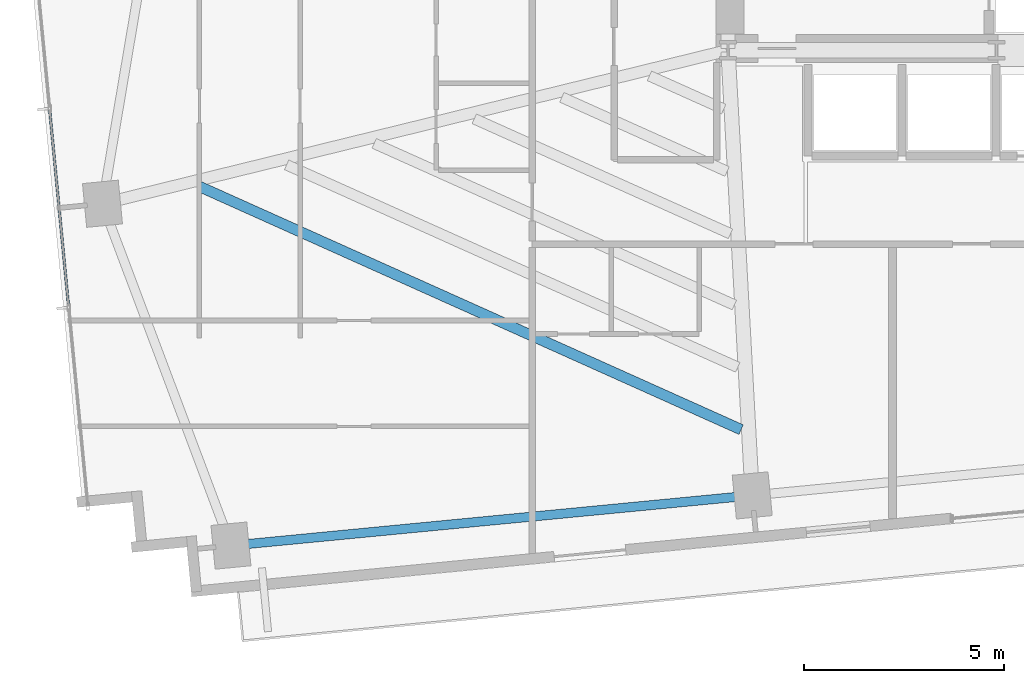
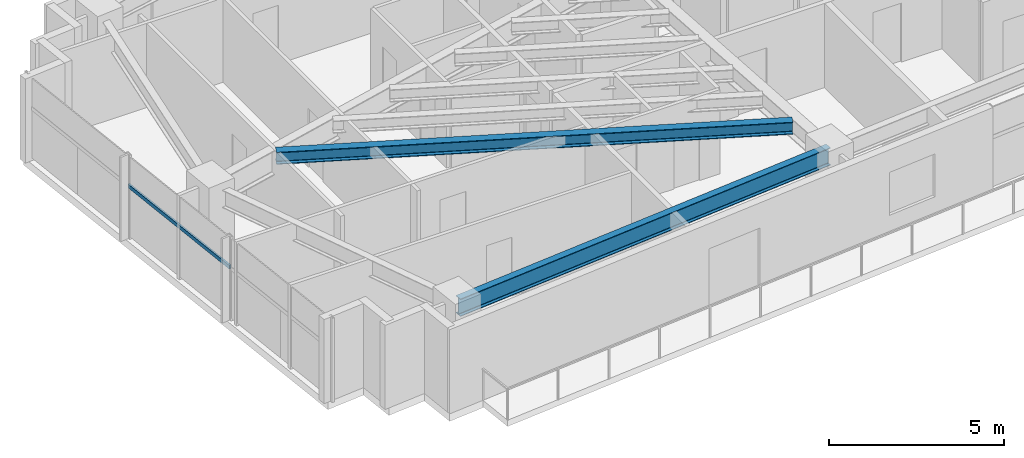
# One storey, part 3 of 25: 2 beams, 1 member, 1 element without a shape of its own.
"""IFC4 building model written with IfcOpenShell, lengths in metres."""

from ifc_helpers import new_model, si_unit, direction, frame, origin, origin_2d, place, context, subcontext, project, spatial, hollow_rectangle, i_section, extrude, source, transform, mapped, material, material_profile, profile_set, type_object, type_shapes, element, aggregate, save


model = new_model("IFC4")

# Units and contexts
model_context = context("Model", 3, precision=1e-05, world=origin(), true_north=direction((0.0, 1.0)))
body_context = subcontext(model_context, "Body", "Model", "MODEL_VIEW")
ifc_project = project(units=[si_unit("LENGTHUNIT", "METRE"), si_unit("AREAUNIT", "SQUARE_METRE"), si_unit("VOLUMEUNIT", "CUBIC_METRE"), si_unit("PLANEANGLEUNIT", "RADIAN"), si_unit("MASSUNIT", "GRAM", prefix="KILO")], contexts=[model_context])

# Site, building, storey
site_placement = place(None, origin())
site = spatial("IfcSite", under=ifc_project, at=site_placement, CompositionType="ELEMENT")
building_placement = place(site_placement, origin())
building = spatial("IfcBuilding", under=site, at=building_placement, Name="Astriad Promenade Condominiums", CompositionType="ELEMENT")
storey_placement = place(building_placement, frame((0.0, 0.0, 100.199951171875)))
storey = spatial("IfcBuildingStorey", under=building, at=storey_placement, Name="L28", CompositionType="ELEMENT", Elevation=100.199951171875)

# Beams
ifc_material_1 = material(Name="Steel ASTM A992 Grade 50", Category="steel")
ifc_material_profile_1 = material_profile(ifc_material_1, i_section(OverallWidth=0.22900390625, OverallDepth=0.612060546875, WebThickness=0.011962890625, FlangeThickness=0.01953125, FilletRadius=0.017822265625, at=origin_2d()), Name="W24X84")
ifc_profile_set_1 = profile_set([ifc_material_profile_1], Name="Steel ASTM A992 Grade 50")
beam_type_1 = type_object("IfcBeamType", Name="STEEL SPANDREL BEAM W24X84", PredefinedType="SPANDREL", material=ifc_profile_set_1)
shared_shape_1 = source(origin(), body_context, "Body", "SweptSolid", [
    extrude(i_section(OverallWidth=0.22900390625, OverallDepth=0.612060546875, WebThickness=0.011962890625, FlangeThickness=0.01953125, FilletRadius=0.017822265625, at=origin_2d()), origin(), (0.0, 0.0, 1.0), 13.02001953125),
])
type_shapes(beam_type_1, [shared_shape_1])
beam_1_placement = place(storey_placement, frame((14.005859375, 5.01318359375, 2.634033203125), z_axis=(0.995395138946, 0.095856754395, 0.0), x_axis=(-0.095856754395, 0.995395138946, 0.0)))
element("IfcBeam", 1, at=beam_1_placement, inside=storey, type_object=beam_type_1, Name="Perimeter Spandrel Beam SP-S1-L28", PredefinedType="SPANDREL", context=body_context, shape_type="MappedRepresentation", body=[
    mapped(shared_shape_1, transform((0.0, 0.0, 0.0), scale=1.0)),
])
ifc_material_profile_2 = material_profile(ifc_material_1, i_section(OverallWidth=0.26318359375, OverallDepth=0.425537109375, WebThickness=0.01318359375, FlangeThickness=0.022216796875, FilletRadius=0.013916015625, at=origin_2d()), Name="W16X89")
ifc_profile_set_2 = profile_set([ifc_material_profile_2], Name="Steel ASTM A992 Grade 50")
beam_type_2 = type_object("IfcBeamType", Name="STEEL FLOOR JOIST W16X89", PredefinedType="JOIST", material=ifc_profile_set_2)
shared_shape_2 = source(origin(), body_context, "Body", "SweptSolid", [
    extrude(i_section(OverallWidth=0.26318359375, OverallDepth=0.425537109375, WebThickness=0.01318359375, FlangeThickness=0.022216796875, FilletRadius=0.013916015625, at=origin_2d()), origin(), (0.0, 0.0, 1.0), 14.863037109375),
])
type_shapes(beam_type_2, [shared_shape_2])
beam_2_placement = place(storey_placement, frame((13.168212890625, 13.996826171875, 2.727294921875), z_axis=(0.912311114602, -0.409497777984, 0.0), x_axis=(0.409497777984, 0.912311114602, 0.0)))
element("IfcBeam", 2, at=beam_2_placement, inside=storey, type_object=beam_type_2, Name="Secondary Composite Floor Joist JW1-1-L28", PredefinedType="JOIST", context=body_context, shape_type="MappedRepresentation", body=[
    mapped(shared_shape_2, transform((0.0, 0.0, 0.0), scale=1.0)),
])

# Curtain wall, member
ifc_material_2 = material(Name="Anodised aluminium Black Dark Glass Unitised", Category="aluminium")
curtain_wall_type = type_object("IfcCurtainWallType", Name="CW-B2-DARK", PredefinedType="USERDEFINED", material=ifc_material_2)
curtain_wall_placement = place(storey_placement, origin())
curtain_wall = element("IfcCurtainWall", 3, at=curtain_wall_placement, inside=storey, type_object=curtain_wall_type, Name="CW-L28-W", ObjectType="UNITISED_CURTAIN_WALL", PredefinedType="USERDEFINED")
ifc_material_3 = material(Name="Anodised aluminium 6063-T6 Black", Category="aluminium")
ifc_material_profile_3 = material_profile(ifc_material_3, hollow_rectangle(XDim=0.06494140625, YDim=0.1298828125, WallThickness=0.00390625, at=origin_2d()), Name="ALU-TRN-65X130")
ifc_profile_set_3 = profile_set([ifc_material_profile_3], Name="Anodised aluminium 6063-T6 Black")
member_type = type_object("IfcMemberType", Name="TRN-ALU-TRN-65X130", PredefinedType="USERDEFINED", material=ifc_profile_set_3)
shared_shape_3 = source(origin(), body_context, "Body", "SweptSolid", [
    extrude(hollow_rectangle(XDim=0.06494140625, YDim=0.1298828125, WallThickness=0.00390625, at=origin_2d()), origin(), (0.0, 0.0, 1.0), 5.0),
])
type_shapes(member_type, [shared_shape_3])
member_placement = place(storey_placement, frame((9.90625, 10.9677734375, 1.82275390625), z_axis=(-0.095848242264, 0.995395958629, 0.0), x_axis=(-0.995395958629, -0.095848242264, 0.0)))
member = element("IfcMember", 4, at=member_placement, type_object=member_type, Name="CW-L28-W-TRN-01-0", ObjectType="TRANSOM", PredefinedType="USERDEFINED", context=body_context, shape_type="MappedRepresentation", body=[
    mapped(shared_shape_3, transform((0.0, 0.0, 0.0), scale=1.0)),
])
aggregate(curtain_wall, [member])

save(model, "model.ifc")
